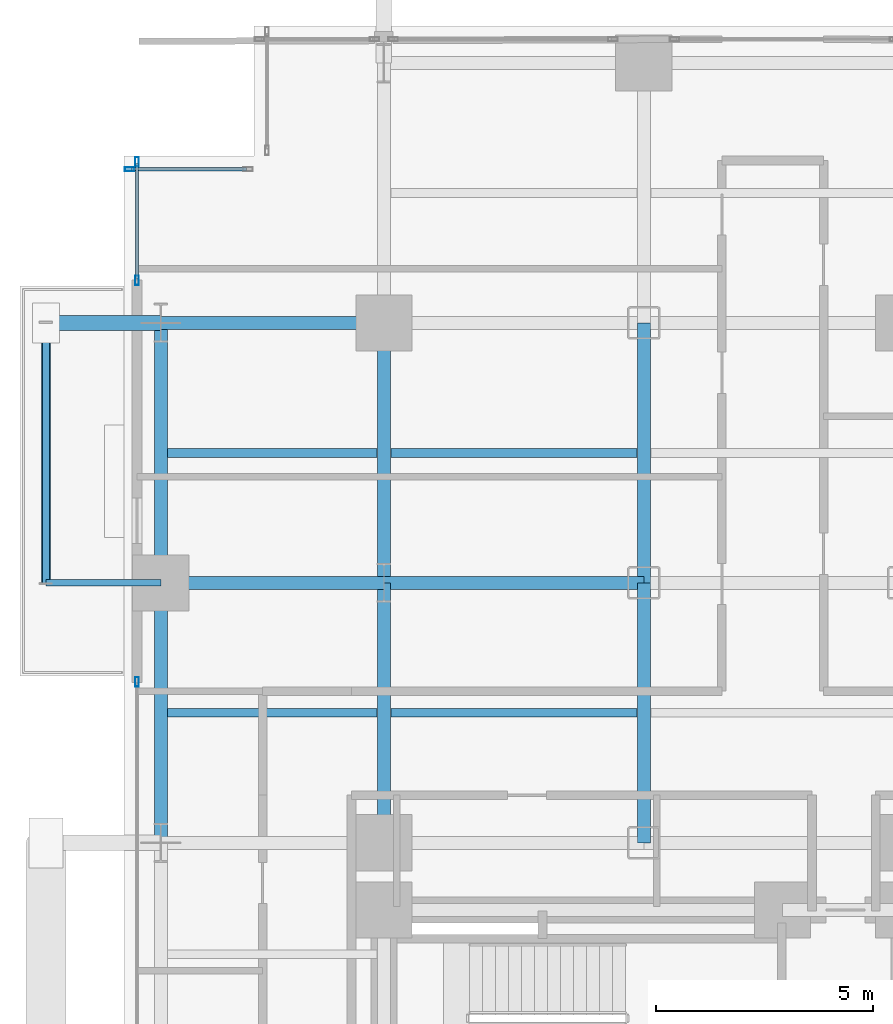
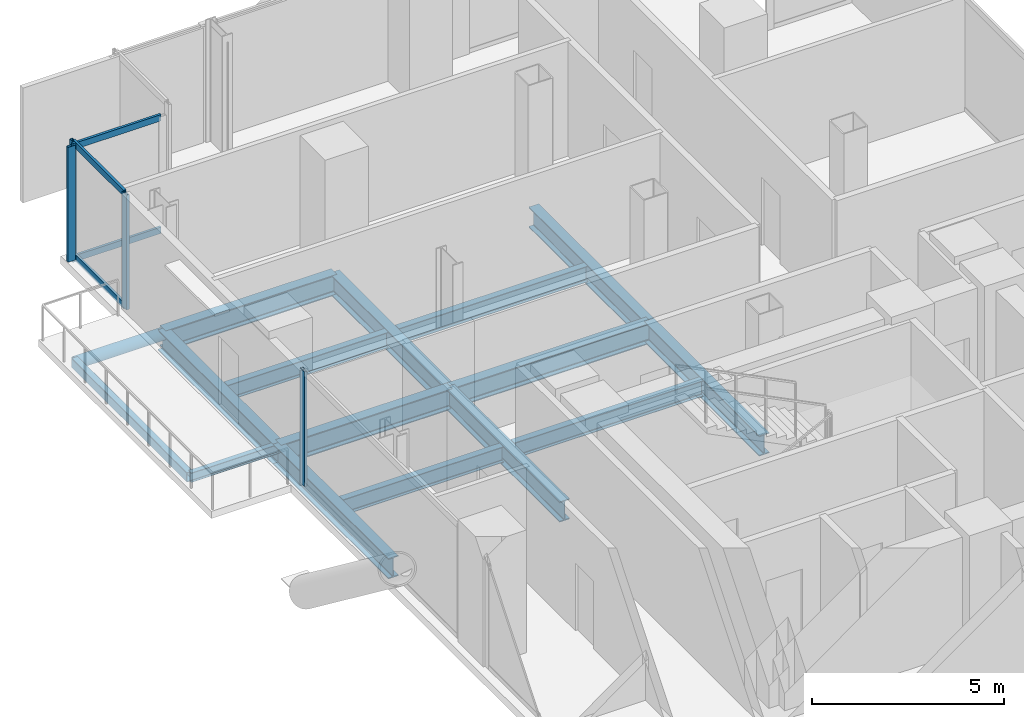
# One storey, part 13 of 27: 15 beams, 9 members, 3 elements without a shape of their own.
"""IFC4 building model written with IfcOpenShell, lengths in metres."""

from ifc_helpers import new_model, si_unit, direction, frame, origin, origin_2d, place, context, subcontext, project, spatial, hollow_rectangle, hollow_circle, i_section, extrude, material, layer, layer_set, material_profile, profile_set, type_object, element, aggregate, save


model = new_model("IFC4")

# Units and contexts
model_context = context("Model", 3, precision=1e-05, world=origin(), true_north=direction((0.0, 1.0)))
body_context = subcontext(model_context, "Body", "Model", "MODEL_VIEW")
ifc_project = project(units=[si_unit("LENGTHUNIT", "METRE"), si_unit("AREAUNIT", "SQUARE_METRE"), si_unit("VOLUMEUNIT", "CUBIC_METRE"), si_unit("PLANEANGLEUNIT", "RADIAN"), si_unit("MASSUNIT", "GRAM", prefix="KILO"), si_unit("THERMODYNAMICTEMPERATUREUNIT", "KELVIN"), si_unit("POWERUNIT", "WATT")], contexts=[model_context])

# Site, building, storey
site_placement = place(None, origin())
site = spatial("IfcSite", under=ifc_project, at=site_placement, CompositionType="ELEMENT")
building_placement = place(site_placement, origin())
building = spatial("IfcBuilding", under=site, at=building_placement, Name="Svarakhadi Broadcast Tower", CompositionType="ELEMENT")
storey_placement = place(building_placement, frame((0.0, 0.0, 55.800048828125)))
storey = spatial("IfcBuildingStorey", under=building, at=storey_placement, Name="L12", CompositionType="ELEMENT", Elevation=55.800048828125)

# Beams
ifc_material_1 = material(Name="Steel S355J2 (IS 2062 E350C)", Category="steel")
ifc_material_profile_1 = material_profile(ifc_material_1, i_section(OverallWidth=0.199951171875, OverallDepth=0.5, WebThickness=0.01025390625, FlangeThickness=0.01611328125, FilletRadius=0.02099609375, at=origin_2d()), Name="NPB 500x200x91")
ifc_profile_set_1 = profile_set([ifc_material_profile_1], Name="Steel S355J2 (IS 2062 E350C)")
beam_type_1 = type_object("IfcBeamType", Name="Beam_NPB500", PredefinedType="BEAM", material=ifc_profile_set_1)
for number, where, z_axis, x_axis, name in (
    (1, (1.010009765625, 32.14990234375, -0.5), (1.0, 0.0, 0.0), (0.0, 1.0, 0.0), "L12 Secondary Composite Beam SB005"),
    (2, (1.010009765625, 38.14990234375, -0.5), (1.0, 0.0, 0.0), (0.0, 1.0, 0.0), "L12 Secondary Composite Beam SB006"),
):
    element("IfcBeam", number, at=place(storey_placement, frame(where, z_axis=z_axis, x_axis=x_axis)), inside=storey, type_object=beam_type_1, Name=name, PredefinedType="BEAM", context=body_context, shape_type="SweptSolid", body=[
        extrude(i_section(OverallWidth=0.199951171875, OverallDepth=0.5, WebThickness=0.01025390625, FlangeThickness=0.01611328125, FilletRadius=0.02099609375, at=origin_2d()), origin(), (0.0, 0.0, 1.0), 4.830078125),
    ])
for number, where, z_axis, x_axis, name in (
    (3, (6.159912109375, 32.14990234375, -0.5), (1.0, 0.0, 0.0), (0.0, 1.0, 0.0), "L12 Secondary Composite Beam SB010"),
    (4, (6.159912109375, 38.14990234375, -0.5), (1.0, 0.0, 0.0), (0.0, 1.0, 0.0), "L12 Secondary Composite Beam SB011"),
):
    element("IfcBeam", number, at=place(storey_placement, frame(where, z_axis=z_axis, x_axis=x_axis)), inside=storey, type_object=beam_type_1, Name=name, PredefinedType="BEAM", context=body_context, shape_type="SweptSolid", body=[
        extrude(i_section(OverallWidth=0.199951171875, OverallDepth=0.5, WebThickness=0.01025390625, FlangeThickness=0.01611328125, FilletRadius=0.02099609375, at=origin_2d()), origin(), (0.0, 0.0, 1.0), 5.68017578125),
    ])

# Curtain wall, member
ifc_material_2 = material(Name="Anodised Bronze Aluminium AA 6063-T6", Category="aluminium")
ifc_layer = layer(ifc_material_2, 0.219970703125)
ifc_layer_set = layer_set([ifc_layer], Name="Anodised Bronze Aluminium AA 6063-T6")
curtain_wall_type = type_object("IfcCurtainWallType", Name="CW_Sys_02", PredefinedType="NOTDEFINED", material=ifc_layer_set)
curtain_wall_1_placement = place(storey_placement, origin())
curtain_wall_1 = element("IfcCurtainWall", 5, at=curtain_wall_1_placement, inside=storey, type_object=curtain_wall_type, Name="L12 West Curtain Wall 02 Bay 3", PredefinedType="NOTDEFINED")
ifc_material_profile_2 = material_profile(ifc_material_2, hollow_rectangle(XDim=0.0849609375, YDim=0.219970703125, WallThickness=0.006103515625, at=origin_2d()), Name="ALU MULLION 220x85x6")
ifc_profile_set_2 = profile_set([ifc_material_profile_2], Name="Anodised Bronze Aluminium AA 6063-T6")
member_type_1 = type_object("IfcMemberType", Name="CW_Sys_02_Mul", PredefinedType="MULLION", material=ifc_profile_set_2)
member_1_placement = place(storey_placement, frame((0.300048828125, 32.867431640625, 0.0), z_axis=(0.0, 0.0, 1.0), x_axis=(-1.0, 0.0, 0.0)))
member_1 = element("IfcMember", 6, at=member_1_placement, type_object=member_type_1, Name="CW-02 mullion 2", PredefinedType="MULLION", context=body_context, shape_type="SweptSolid", body=[
    extrude(hollow_rectangle(XDim=0.0849609375, YDim=0.219970703125, WallThickness=0.006103515625, at=origin_2d()), origin(), (0.0, 0.0, 1.0), 3.64990234375),
])
aggregate(curtain_wall_1, [member_1])

# Curtain wall, members
curtain_wall_2_placement = place(storey_placement, origin())
curtain_wall_2 = element("IfcCurtainWall", 7, at=curtain_wall_2_placement, inside=storey, type_object=curtain_wall_type, Name="L12 West Curtain Wall 03", PredefinedType="NOTDEFINED")
member_2_placement = place(storey_placement, frame((0.300048828125, 42.132568359375, 0.0), z_axis=(0.0, 0.0, 1.0), x_axis=(-1.0, 0.0, 0.0)))
member_2 = element("IfcMember", 8, at=member_2_placement, type_object=member_type_1, Name="CW-02 mullion 1", PredefinedType="MULLION", context=body_context, shape_type="SweptSolid", body=[
    extrude(hollow_rectangle(XDim=0.0849609375, YDim=0.219970703125, WallThickness=0.006103515625, at=origin_2d()), origin(), (0.0, 0.0, 1.0), 3.64990234375),
])
member_3_placement = place(storey_placement, frame((0.300048828125, 44.867431640625, 0.0), z_axis=(0.0, 0.0, 1.0), x_axis=(-1.0, 0.0, 0.0)))
member_3 = element("IfcMember", 9, at=member_3_placement, type_object=member_type_1, Name="CW-02 mullion 2", PredefinedType="MULLION", context=body_context, shape_type="SweptSolid", body=[
    extrude(hollow_rectangle(XDim=0.0849609375, YDim=0.219970703125, WallThickness=0.006103515625, at=origin_2d()), origin(), (0.0, 0.0, 1.0), 3.64990234375),
])

# Curtain wall, member
curtain_wall_3_placement = place(storey_placement, origin())
curtain_wall_3 = element("IfcCurtainWall", 10, at=curtain_wall_3_placement, inside=storey, type_object=curtain_wall_type, Name="L12 Unitised Facade Curtain Wall 04", PredefinedType="NOTDEFINED")
member_4_placement = place(storey_placement, frame((0.132568359375, 44.699951171875, 0.0), z_axis=(0.0, 0.0, 1.0), x_axis=(0.0, 1.0, 0.0)))
member_4 = element("IfcMember", 11, at=member_4_placement, type_object=member_type_1, Name="CW-02 mullion 1", PredefinedType="MULLION", context=body_context, shape_type="SweptSolid", body=[
    extrude(hollow_rectangle(XDim=0.0849609375, YDim=0.219970703125, WallThickness=0.006103515625, at=origin_2d()), origin(), (0.0, 0.0, 1.0), 3.64990234375),
])

# Member
ifc_material_profile_3 = material_profile(ifc_material_2, hollow_rectangle(XDim=0.074951171875, YDim=0.199951171875, WallThickness=0.0048828125, at=origin_2d()), Name="ALU TRANSOM 200x75x5")
ifc_profile_set_3 = profile_set([ifc_material_profile_3], Name="Anodised Bronze Aluminium AA 6063-T6")
member_type_2 = type_object("IfcMemberType", Name="CW_Sys_02_Trn", PredefinedType="USERDEFINED", material=ifc_profile_set_3)
member_5_placement = place(storey_placement, frame((0.300048828125, 42.175048828125, 0.037353515625), z_axis=(0.0, 1.0, 0.0), x_axis=(-1.0, 0.0, 0.0)))
member_5 = element("IfcMember", 12, at=member_5_placement, type_object=member_type_2, Name="CW-02 transom 1.1", ObjectType="TRANSOM", PredefinedType="USERDEFINED", context=body_context, shape_type="SweptSolid", body=[
    extrude(hollow_rectangle(XDim=0.074951171875, YDim=0.199951171875, WallThickness=0.0048828125, at=origin_2d()), origin(), (0.0, 0.0, 1.0), 2.64990234375),
])

member_6_placement = place(storey_placement, frame((0.300048828125, 42.175048828125, 3.612548828125), z_axis=(0.0, 1.0, 0.0), x_axis=(-1.0, 0.0, 0.0)))
member_6 = element("IfcMember", 13, at=member_6_placement, type_object=member_type_2, Name="CW-02 transom 1.2", ObjectType="TRANSOM", PredefinedType="USERDEFINED", context=body_context, shape_type="SweptSolid", body=[
    extrude(hollow_rectangle(XDim=0.074951171875, YDim=0.199951171875, WallThickness=0.0048828125, at=origin_2d()), origin(), (0.0, 0.0, 1.0), 2.64990234375),
])

aggregate(curtain_wall_2, [member_2, member_3, member_5, member_6])

member_7_placement = place(storey_placement, frame((0.175048828125, 44.699951171875, 0.037353515625), z_axis=(1.0, 0.0, 0.0), x_axis=(0.0, 1.0, 0.0)))
member_7 = element("IfcMember", 14, at=member_7_placement, type_object=member_type_2, Name="CW-02 transom 1.1", ObjectType="TRANSOM", PredefinedType="USERDEFINED", context=body_context, shape_type="SweptSolid", body=[
    extrude(hollow_rectangle(XDim=0.074951171875, YDim=0.199951171875, WallThickness=0.0048828125, at=origin_2d()), origin(), (0.0, 0.0, 1.0), 2.64990234375),
])

member_8_placement = place(storey_placement, frame((0.175048828125, 44.699951171875, 3.612548828125), z_axis=(1.0, 0.0, 0.0), x_axis=(0.0, 1.0, 0.0)))
member_8 = element("IfcMember", 15, at=member_8_placement, type_object=member_type_2, Name="CW-02 transom 1.2", ObjectType="TRANSOM", PredefinedType="USERDEFINED", context=body_context, shape_type="SweptSolid", body=[
    extrude(hollow_rectangle(XDim=0.074951171875, YDim=0.199951171875, WallThickness=0.0048828125, at=origin_2d()), origin(), (0.0, 0.0, 1.0), 2.64990234375),
])

aggregate(curtain_wall_3, [member_4, member_7, member_8])

ifc_material_3 = material(Name="Steel S460ML (IS 2062 E450BR)", Category="steel")
ifc_material_profile_4 = material_profile(ifc_material_3, hollow_circle(Radius=0.177734375, WallThickness=0.02001953125, at=origin_2d()), Name="CHS 355.6x20")
ifc_profile_set_4 = profile_set([ifc_material_profile_4], Name="Steel S460ML (IS 2062 E450BR)")
member_type_3 = type_object("IfcMemberType", Name="Exo_Radial_Strut_Z1", PredefinedType="STRUT", material=ifc_profile_set_4)
member_9_placement = place(storey_placement, frame((-1.800048828125, 41.14990234375, -0.427734375), z_axis=(1.0, 0.0, 0.0), x_axis=(0.0, 1.0, 0.0)))
element("IfcMember", 16, at=member_9_placement, inside=storey, type_object=member_type_3, Name="L12 Exoskeleton Radial Tie Strut W08", PredefinedType="STRUT", context=body_context, shape_type="SweptSolid", body=[
    extrude(hollow_circle(Radius=0.177734375, WallThickness=0.02001953125, at=origin_2d()), origin(), (0.0, 0.0, 1.0), 2.650146484375),
])

# Beams
ifc_material_profile_5 = material_profile(ifc_material_1, i_section(OverallWidth=0.300048828125, OverallDepth=0.64990234375, WebThickness=0.01611328125, FlangeThickness=0.031005859375, FilletRadius=0.027099609375, at=origin_2d()), Name="WPB 650x300x225")
ifc_profile_set_5 = profile_set([ifc_material_profile_5], Name="Steel S355J2 (IS 2062 E350C)")
beam_type_2 = type_object("IfcBeamType", Name="Girder_WPB650", PredefinedType="USERDEFINED", material=ifc_profile_set_5)
beam_1_placement = place(storey_placement, frame((0.85009765625, 35.14990234375, -0.574951171875), z_axis=(1.0, 0.0, 0.0), x_axis=(0.0, 1.0, 0.0)))
element("IfcBeam", 17, at=beam_1_placement, inside=storey, type_object=beam_type_2, Name="L12 Primary E-W Girder G037", ObjectType="GIRDER", PredefinedType="USERDEFINED", context=body_context, shape_type="SweptSolid", body=[
    extrude(i_section(OverallWidth=0.300048828125, OverallDepth=0.64990234375, WebThickness=0.01611328125, FlangeThickness=0.031005859375, FilletRadius=0.027099609375, at=origin_2d()), origin(), (0.0, 0.0, 1.0), 5.14990234375),
])
beam_2_placement = place(storey_placement, frame((6.0, 35.14990234375, -0.574951171875), z_axis=(1.0, 0.0, 0.0), x_axis=(0.0, 1.0, 0.0)))
element("IfcBeam", 18, at=beam_2_placement, inside=storey, type_object=beam_type_2, Name="L12 Primary E-W Girder G038", ObjectType="GIRDER", PredefinedType="USERDEFINED", context=body_context, shape_type="SweptSolid", body=[
    extrude(i_section(OverallWidth=0.300048828125, OverallDepth=0.64990234375, WebThickness=0.01611328125, FlangeThickness=0.031005859375, FilletRadius=0.027099609375, at=origin_2d()), origin(), (0.0, 0.0, 1.0), 6.0),
])
beam_3_placement = place(storey_placement, frame((0.85009765625, 41.14990234375, -0.574951171875), z_axis=(1.0, 0.0, 0.0), x_axis=(0.0, 1.0, 0.0)))
element("IfcBeam", 19, at=beam_3_placement, inside=storey, type_object=beam_type_2, Name="L12 Primary E-W Girder G040", ObjectType="GIRDER", PredefinedType="USERDEFINED", context=body_context, shape_type="SweptSolid", body=[
    extrude(i_section(OverallWidth=0.300048828125, OverallDepth=0.64990234375, WebThickness=0.01611328125, FlangeThickness=0.031005859375, FilletRadius=0.027099609375, at=origin_2d()), origin(), (0.0, 0.0, 1.0), 5.14990234375),
])
for number, where, z_axis, x_axis, name in (
    (20, (0.85009765625, 29.14990234375, -0.574951171875), (0.0, 1.0, 0.0), (-1.0, 0.0, 0.0), "L12 Primary N-S Girder G049"),
    (21, (0.85009765625, 35.14990234375, -0.574951171875), (0.0, 1.0, 0.0), (-1.0, 0.0, 0.0), "L12 Primary N-S Girder G050"),
    (22, (6.0, 29.14990234375, -0.574951171875), (0.0, 1.0, 0.0), (-1.0, 0.0, 0.0), "L12 Primary N-S Girder G055"),
    (23, (6.0, 35.14990234375, -0.574951171875), (0.0, 1.0, 0.0), (-1.0, 0.0, 0.0), "L12 Primary N-S Girder G056"),
    (24, (12.0, 29.14990234375, -0.574951171875), (0.0, 1.0, 0.0), (-1.0, 0.0, 0.0), "L12 Primary N-S Girder G061"),
    (25, (12.0, 35.14990234375, -0.574951171875), (0.0, 1.0, 0.0), (-1.0, 0.0, 0.0), "L12 Primary N-S Girder G062"),
):
    element("IfcBeam", number, at=place(storey_placement, frame(where, z_axis=z_axis, x_axis=x_axis)), inside=storey, type_object=beam_type_2, Name=name, ObjectType="GIRDER", PredefinedType="USERDEFINED", context=body_context, shape_type="SweptSolid", body=[
        extrude(i_section(OverallWidth=0.300048828125, OverallDepth=0.64990234375, WebThickness=0.01611328125, FlangeThickness=0.031005859375, FilletRadius=0.027099609375, at=origin_2d()), origin(), (0.0, 0.0, 1.0), 6.0),
    ])
ifc_material_profile_6 = material_profile(ifc_material_1, i_section(OverallWidth=0.14990234375, OverallDepth=0.300048828125, WebThickness=0.007080078125, FlangeThickness=0.0107421875, FilletRadius=0.014892578125, at=origin_2d()), Name="NPB 300x150x37")
ifc_profile_set_6 = profile_set([ifc_material_profile_6], Name="Steel S355J2 (IS 2062 E350C)")
beam_type_3 = type_object("IfcBeamType", Name="Spandrel_NPB300", PredefinedType="SPANDREL", material=ifc_profile_set_6)
beam_4_placement = place(storey_placement, frame((0.85009765625, 35.14990234375, -0.400146484375), z_axis=(-1.0, 0.0, 0.0), x_axis=(0.0, -1.0, 0.0)))
element("IfcBeam", 26, at=beam_4_placement, inside=storey, type_object=beam_type_3, Name="L12 Balcony Cantilever Bracket 2A", PredefinedType="SPANDREL", context=body_context, shape_type="SweptSolid", body=[
    extrude(i_section(OverallWidth=0.14990234375, OverallDepth=0.300048828125, WebThickness=0.007080078125, FlangeThickness=0.0107421875, FilletRadius=0.014892578125, at=origin_2d()), origin(), (0.0, 0.0, 1.0), 2.650146484375),
])
ifc_material_profile_7 = material_profile(ifc_material_3, hollow_rectangle(XDim=0.199951171875, YDim=0.300048828125, WallThickness=0.012451171875, InnerFilletRadius=0.012451171875, OuterFilletRadius=0.02490234375, at=origin_2d()), Name="RHS 300x200x12.5")
ifc_profile_set_7 = profile_set([ifc_material_profile_7], Name="Steel S460ML (IS 2062 E450BR)")
beam_type_4 = type_object("IfcBeamType", Name="Spandrel_RHS300", PredefinedType="SPANDREL", material=ifc_profile_set_7)
beam_5_placement = place(storey_placement, frame((-1.800048828125, 35.14990234375, -0.400146484375), z_axis=(0.0, 1.0, 0.0), x_axis=(-1.0, 0.0, 0.0)))
element("IfcBeam", 27, at=beam_5_placement, inside=storey, type_object=beam_type_4, Name="L12 Balcony Outer Spandrel 2F", PredefinedType="SPANDREL", context=body_context, shape_type="SweptSolid", body=[
    extrude(hollow_rectangle(XDim=0.199951171875, YDim=0.300048828125, WallThickness=0.012451171875, InnerFilletRadius=0.012451171875, OuterFilletRadius=0.02490234375, at=origin_2d()), origin(), (0.0, 0.0, 1.0), 6.0),
])

save(model, "model.ifc")
